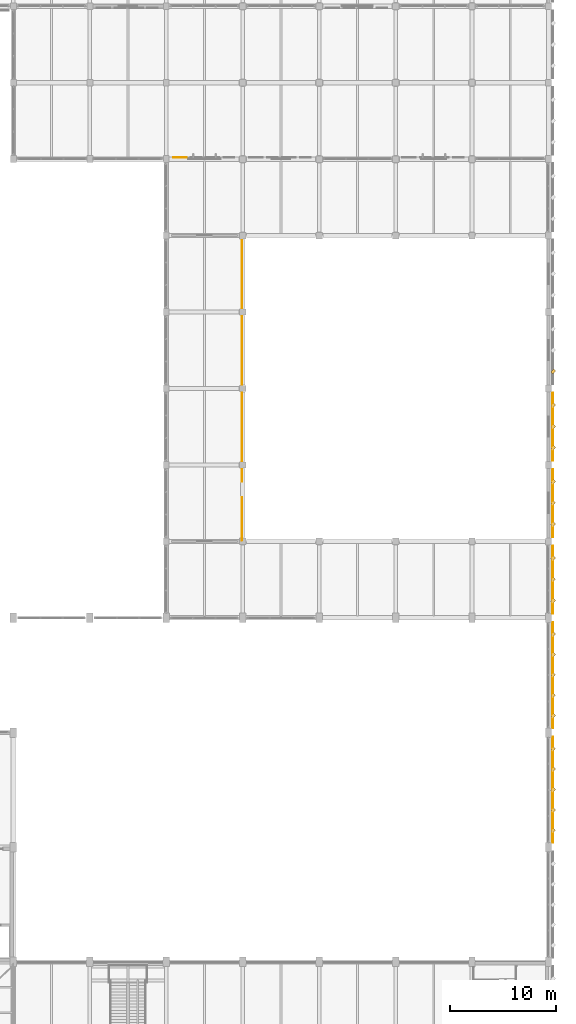
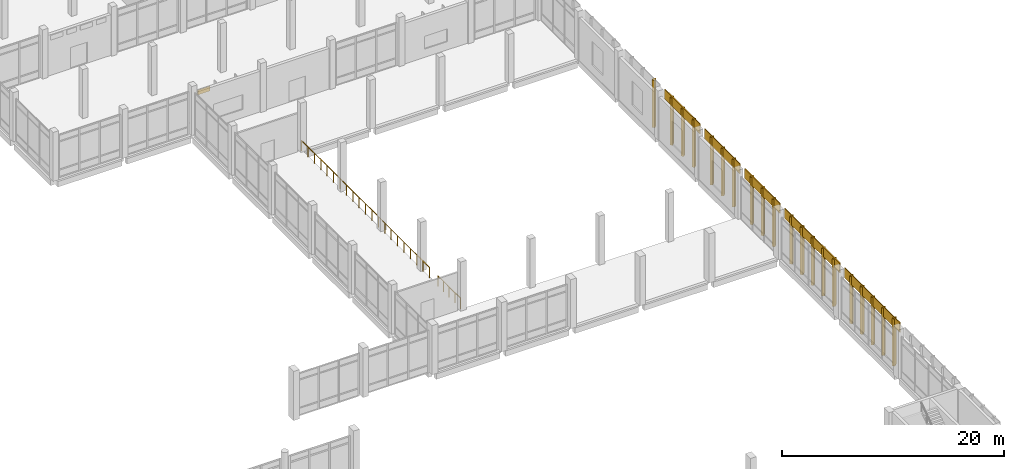
# One storey, part 177 of 180: 26 coverings, 2 railings.
"""IFC4 building model written with IfcOpenShell, lengths in metres."""

from ifc_helpers import new_model, si_unit, direction, frame, origin, origin_2d, place, context, subcontext, project, spatial, rectangle, circle, extrude, material, layer, layer_set, type_object, element, save


model = new_model("IFC4")

# Units and contexts
model_context = context("Model", 3, precision=1e-05, world=origin(), true_north=direction((0.0, 1.0)))
body_context = subcontext(model_context, "Body", "Model", "MODEL_VIEW")
ifc_project = project(units=[si_unit("LENGTHUNIT", "METRE"), si_unit("AREAUNIT", "SQUARE_METRE"), si_unit("VOLUMEUNIT", "CUBIC_METRE"), si_unit("PLANEANGLEUNIT", "RADIAN"), si_unit("MASSUNIT", "GRAM", prefix="KILO")], contexts=[model_context])

# Site, building, storey
site_placement = place(None, origin())
site = spatial("IfcSite", under=ifc_project, at=site_placement, CompositionType="ELEMENT")
building_placement = place(site_placement, origin())
building = spatial("IfcBuilding", under=site, at=building_placement, Name="Lusvemor Sports Hall", CompositionType="ELEMENT")
storey_placement = place(building_placement, frame((0.0, 0.0, 5.39990234375)))
storey = spatial("IfcBuildingStorey", under=building, at=storey_placement, Name="L01", CompositionType="ELEMENT", Elevation=5.39990234375)

# Coverings
ifc_material_1 = material(Name="Emerald polychrome glazed ceramic cladding on Concrete C40/50 backing", Category="concrete")
ifc_layer_1 = layer(ifc_material_1, 0.0458984375)
ifc_layer_set_1 = layer_set([ifc_layer_1], Name="Emerald polychrome glazed ceramic cladding on Concrete C40/50 backing")
covering_type_1 = type_object("IfcCoveringType", Name="CLAD_WAVE_EMERALD", PredefinedType="CLADDING", material=ifc_layer_set_1)
covering_placement = place(storey_placement, frame((134.47509765625, 82.965576171875, 3.88525390625), z_axis=(0.0, 0.0, 1.0), x_axis=(1.0, 0.0, 0.0)))
element("IfcCovering", 1, at=covering_placement, inside=storey, type_object=covering_type_1, Name="Art Nouveau Patterned Cladding PS-EW-L01-N-5-0-1", PredefinedType="CLADDING", context=body_context, shape_type="SweptSolid", body=[
    extrude(rectangle(XDim=1.27099609375, YDim=0.0458984375, at=origin_2d()), origin(), (0.0, 0.0, 1.0), 0.510009765625),
])
for number, where, z_axis, x_axis, name in (
    (2, (169.639892578125, 21.47998046875, 0.10009765625), (0.0, 0.0, 1.0), (0.707106781187, 0.707106781187, 0.0), "Patterned Diamond Cladding Rib 310"),
    (3, (169.639892578125, 25.320068359375, 0.10009765625), (0.0, 0.0, 1.0), (0.707106781187, 0.707106781187, 0.0), "Patterned Diamond Cladding Rib 312"),
    (4, (169.639892578125, 32.280029296875, 0.10009765625), (0.0, 0.0, 1.0), (0.707106781187, 0.707106781187, 0.0), "Patterned Diamond Cladding Rib 334"),
    (5, (169.639892578125, 36.1201171875, 0.10009765625), (0.0, 0.0, 1.0), (0.707106781187, 0.707106781187, 0.0), "Patterned Diamond Cladding Rib 336"),
    (6, (169.639892578125, 43.199951171875, 0.10009765625), (0.0, 0.0, 1.0), (0.707106781187, 0.707106781187, 0.0), "Patterned Diamond Cladding Rib 363"),
    (7, (169.639892578125, 50.39990234375, 0.10009765625), (0.0, 0.0, 1.0), (0.707106781187, 0.707106781187, 0.0), "Patterned Diamond Cladding Rib 375"),
    (8, (169.639892578125, 57.60009765625, 0.10009765625), (0.0, 0.0, 1.0), (0.707106781187, 0.707106781187, 0.0), "Patterned Diamond Cladding Rib 387"),
):
    element("IfcCovering", number, at=place(storey_placement, frame(where, z_axis=z_axis, x_axis=x_axis)), inside=storey, type_object=covering_type_1, Name=name, PredefinedType="CLADDING", context=body_context, shape_type="SweptSolid", body=[
        extrude(rectangle(XDim=0.3798828125, YDim=0.280029296875, at=origin_2d()), origin(), (0.0, 0.0, 1.0), 5.199951171875),
    ])
ifc_material_2 = material(Name="Warm terracotta Art Nouveau ceramic cladding on Concrete C40/50 backing", Category="masonry")
ifc_layer_2 = layer(ifc_material_2, 0.0380859375)
ifc_layer_set_2 = layer_set([ifc_layer_2], Name="Warm terracotta Art Nouveau ceramic cladding on Concrete C40/50 backing")
covering_type_2 = type_object("IfcCoveringType", Name="CLAD_WAVE_OCHRE", PredefinedType="CLADDING", material=ifc_layer_set_2)
for number, where, z_axis, x_axis, name in (
    (9, (169.590087890625, 23.39990234375, 4.380126953125), (0.0, 0.0, 1.0), (1.0, 0.0, 0.0), "Art Nouveau Spandrel Cornice 308"),
    (10, (169.590087890625, 34.199951171875, 4.380126953125), (0.0, 0.0, 1.0), (1.0, 0.0, 0.0), "Art Nouveau Spandrel Cornice 332"),
):
    element("IfcCovering", number, at=place(storey_placement, frame(where, z_axis=z_axis, x_axis=x_axis)), inside=storey, type_object=covering_type_2, Name=name, PredefinedType="CLADDING", context=body_context, shape_type="SweptSolid", body=[
        extrude(rectangle(XDim=0.090087890625, YDim=9.97998046875, at=origin_2d()), origin(), (0.0, 0.0, 1.0), 1.080078125),
    ])
for number, where, z_axis, x_axis, name in (
    (11, (169.590087890625, 43.199951171875, 4.380126953125), (0.0, 0.0, 1.0), (1.0, 0.0, 0.0), "Art Nouveau Spandrel Cornice 361"),
    (12, (169.590087890625, 50.39990234375, 4.380126953125), (0.0, 0.0, 1.0), (1.0, 0.0, 0.0), "Art Nouveau Spandrel Cornice 373"),
    (13, (169.590087890625, 57.60009765625, 4.380126953125), (0.0, 0.0, 1.0), (1.0, 0.0, 0.0), "Art Nouveau Spandrel Cornice 385"),
):
    element("IfcCovering", number, at=place(storey_placement, frame(where, z_axis=z_axis, x_axis=x_axis)), inside=storey, type_object=covering_type_2, Name=name, PredefinedType="CLADDING", context=body_context, shape_type="SweptSolid", body=[
        extrude(rectangle(XDim=0.090087890625, YDim=6.3798828125, at=origin_2d()), origin(), (0.0, 0.0, 1.0), 1.080078125),
    ])
ifc_material_3 = material(Name="Warm terracotta Art Nouveau ceramic cladding on Concrete C40/50 backing", Category="masonry")
ifc_layer_3 = layer(ifc_material_3, 0.449951171875)
ifc_layer_set_3 = layer_set([ifc_layer_3], Name="Warm terracotta Art Nouveau ceramic cladding on Concrete C40/50 backing")
covering_type_3 = type_object("IfcCoveringType", Name="FIN_BRISE_CER_450", PredefinedType="MOLDING", material=ifc_layer_set_3)
for number, where, z_axis, x_axis, name in (
    (14, (169.639892578125, 19.56005859375, 0.10009765625), (0.0, 0.0, 1.0), (0.707106781187, 0.707106781187, 0.0), "Patterned Diamond Cladding Rib 309"),
    (15, (169.639892578125, 23.39990234375, 0.10009765625), (0.0, 0.0, 1.0), (0.707106781187, 0.707106781187, 0.0), "Patterned Diamond Cladding Rib 311"),
    (16, (169.639892578125, 27.239990234375, 0.10009765625), (0.0, 0.0, 1.0), (0.707106781187, 0.707106781187, 0.0), "Patterned Diamond Cladding Rib 313"),
    (17, (169.639892578125, 30.360107421875, 0.10009765625), (0.0, 0.0, 1.0), (0.707106781187, 0.707106781187, 0.0), "Patterned Diamond Cladding Rib 333"),
    (18, (169.639892578125, 34.199951171875, 0.10009765625), (0.0, 0.0, 1.0), (0.707106781187, 0.707106781187, 0.0), "Patterned Diamond Cladding Rib 335"),
    (19, (169.639892578125, 38.0400390625, 0.10009765625), (0.0, 0.0, 1.0), (0.707106781187, 0.707106781187, 0.0), "Patterned Diamond Cladding Rib 337"),
    (20, (169.639892578125, 41.199951171875, 0.10009765625), (0.0, 0.0, 1.0), (0.707106781187, 0.707106781187, 0.0), "Patterned Diamond Cladding Rib 362"),
    (21, (169.639892578125, 45.199951171875, 0.10009765625), (0.0, 0.0, 1.0), (0.707106781187, 0.707106781187, 0.0), "Patterned Diamond Cladding Rib 364"),
    (22, (169.639892578125, 48.39990234375, 0.10009765625), (0.0, 0.0, 1.0), (0.707106781187, 0.707106781187, 0.0), "Patterned Diamond Cladding Rib 374"),
    (23, (169.639892578125, 52.39990234375, 0.10009765625), (0.0, 0.0, 1.0), (0.707106781187, 0.707106781187, 0.0), "Patterned Diamond Cladding Rib 376"),
    (24, (169.639892578125, 55.60009765625, 0.10009765625), (0.0, 0.0, 1.0), (0.707106781187, 0.707106781187, 0.0), "Patterned Diamond Cladding Rib 386"),
    (25, (169.639892578125, 59.60009765625, 0.10009765625), (0.0, 0.0, 1.0), (0.707106781187, 0.707106781187, 0.0), "Patterned Diamond Cladding Rib 388"),
    (26, (169.639892578125, 62.800048828125, 0.10009765625), (0.0, 0.0, 1.0), (0.707106781187, 0.707106781187, 0.0), "Patterned Diamond Cladding Rib 398"),
):
    element("IfcCovering", number, at=place(storey_placement, frame(where, z_axis=z_axis, x_axis=x_axis)), inside=storey, type_object=covering_type_3, Name=name, PredefinedType="MOLDING", context=body_context, shape_type="SweptSolid", body=[
        extrude(rectangle(XDim=0.3798828125, YDim=0.280029296875, at=origin_2d()), origin(), (0.0, 0.0, 1.0), 5.199951171875),
    ])

# Railings
ifc_material_4 = material(Name="Bronze-finished wrought-steel Art Nouveau balustrade", Category="steel")
railing_type = type_object("IfcRailingType", Name="RAIL_ATRIUM_BAL_115", PredefinedType="BALUSTRADE", material=ifc_material_4)
railing_1_placement = place(storey_placement, frame((140.320068359375, 46.89990234375, 0.0)))
element("IfcRailing", 27, at=railing_1_placement, inside=storey, type_object=railing_type, Name="Climbing Mezzanine Guard S", PredefinedType="BALUSTRADE", context=body_context, shape_type="SweptSolid", body=[
    extrude(circle(Radius=0.02392578125, at=origin_2d()), frame((0.0, 0.0, 1.1259765625), z_axis=(0.0, 1.0, 0.0), x_axis=(-1.0, 0.0, 0.0)), (0.0, 0.0, 1.0), 4.050048828125),
    extrude(circle(Radius=0.02099609375, at=origin_2d()), origin(), (0.0, 0.0, 1.0), 1.101806640625),
    extrude(circle(Radius=0.02099609375, at=origin_2d()), frame((0.0, 1.012451171875, 0.0)), (0.0, 0.0, 1.0), 1.101806640625),
    extrude(circle(Radius=0.02099609375, at=origin_2d()), frame((0.0, 2.02490234375, 0.0)), (0.0, 0.0, 1.0), 1.101806640625),
    extrude(circle(Radius=0.02099609375, at=origin_2d()), frame((0.0, 3.03759765625, 0.0)), (0.0, 0.0, 1.0), 1.101806640625),
    extrude(circle(Radius=0.02099609375, at=origin_2d()), frame((0.0, 4.050048828125, 0.0)), (0.0, 0.0, 1.0), 1.101806640625),
])
railing_2_placement = place(storey_placement, frame((140.320068359375, 52.449951171875, 0.0)))
element("IfcRailing", 28, at=railing_2_placement, inside=storey, type_object=railing_type, Name="Climbing Mezzanine Guard N", PredefinedType="BALUSTRADE", context=body_context, shape_type="SweptSolid", body=[
    extrude(circle(Radius=0.02392578125, at=origin_2d()), frame((0.0, 0.0, 1.1259765625), z_axis=(0.0, 1.0, 0.0), x_axis=(-1.0, 0.0, 0.0)), (0.0, 0.0, 1.0), 23.050048828125),
    extrude(circle(Radius=0.02099609375, at=origin_2d()), origin(), (0.0, 0.0, 1.0), 1.101806640625),
    extrude(circle(Radius=0.02099609375, at=origin_2d()), frame((0.0, 1.152587890625, 0.0)), (0.0, 0.0, 1.0), 1.101806640625),
    extrude(circle(Radius=0.02099609375, at=origin_2d()), frame((0.0, 2.304931640625, 0.0)), (0.0, 0.0, 1.0), 1.101806640625),
    extrude(circle(Radius=0.02099609375, at=origin_2d()), frame((0.0, 3.45751953125, 0.0)), (0.0, 0.0, 1.0), 1.101806640625),
    extrude(circle(Radius=0.02099609375, at=origin_2d()), frame((0.0, 4.610107421875, 0.0)), (0.0, 0.0, 1.0), 1.101806640625),
    extrude(circle(Radius=0.02099609375, at=origin_2d()), frame((0.0, 5.762451171875, 0.0)), (0.0, 0.0, 1.0), 1.101806640625),
    extrude(circle(Radius=0.02099609375, at=origin_2d()), frame((0.0, 6.9150390625, 0.0)), (0.0, 0.0, 1.0), 1.101806640625),
    extrude(circle(Radius=0.02099609375, at=origin_2d()), frame((0.0, 8.067626953125, 0.0)), (0.0, 0.0, 1.0), 1.101806640625),
    extrude(circle(Radius=0.02099609375, at=origin_2d()), frame((0.0, 9.219970703125, 0.0)), (0.0, 0.0, 1.0), 1.101806640625),
    extrude(circle(Radius=0.02099609375, at=origin_2d()), frame((0.0, 10.37255859375, 0.0)), (0.0, 0.0, 1.0), 1.101806640625),
    extrude(circle(Radius=0.02099609375, at=origin_2d()), frame((0.0, 11.52490234375, 0.0)), (0.0, 0.0, 1.0), 1.101806640625),
    extrude(circle(Radius=0.02099609375, at=origin_2d()), frame((0.0, 12.677490234375, 0.0)), (0.0, 0.0, 1.0), 1.101806640625),
    extrude(circle(Radius=0.02099609375, at=origin_2d()), frame((0.0, 13.830078125, 0.0)), (0.0, 0.0, 1.0), 1.101806640625),
    extrude(circle(Radius=0.02099609375, at=origin_2d()), frame((0.0, 14.982421875, 0.0)), (0.0, 0.0, 1.0), 1.101806640625),
    extrude(circle(Radius=0.02099609375, at=origin_2d()), frame((0.0, 16.135009765625, 0.0)), (0.0, 0.0, 1.0), 1.101806640625),
    extrude(circle(Radius=0.02099609375, at=origin_2d()), frame((0.0, 17.28759765625, 0.0)), (0.0, 0.0, 1.0), 1.101806640625),
    extrude(circle(Radius=0.02099609375, at=origin_2d()), frame((0.0, 18.43994140625, 0.0)), (0.0, 0.0, 1.0), 1.101806640625),
    extrude(circle(Radius=0.02099609375, at=origin_2d()), frame((0.0, 19.592529296875, 0.0)), (0.0, 0.0, 1.0), 1.101806640625),
    extrude(circle(Radius=0.02099609375, at=origin_2d()), frame((0.0, 20.7451171875, 0.0)), (0.0, 0.0, 1.0), 1.101806640625),
    extrude(circle(Radius=0.02099609375, at=origin_2d()), frame((0.0, 21.8974609375, 0.0)), (0.0, 0.0, 1.0), 1.101806640625),
    extrude(circle(Radius=0.02099609375, at=origin_2d()), frame((0.0, 23.050048828125, 0.0)), (0.0, 0.0, 1.0), 1.101806640625),
])

save(model, "model.ifc")
